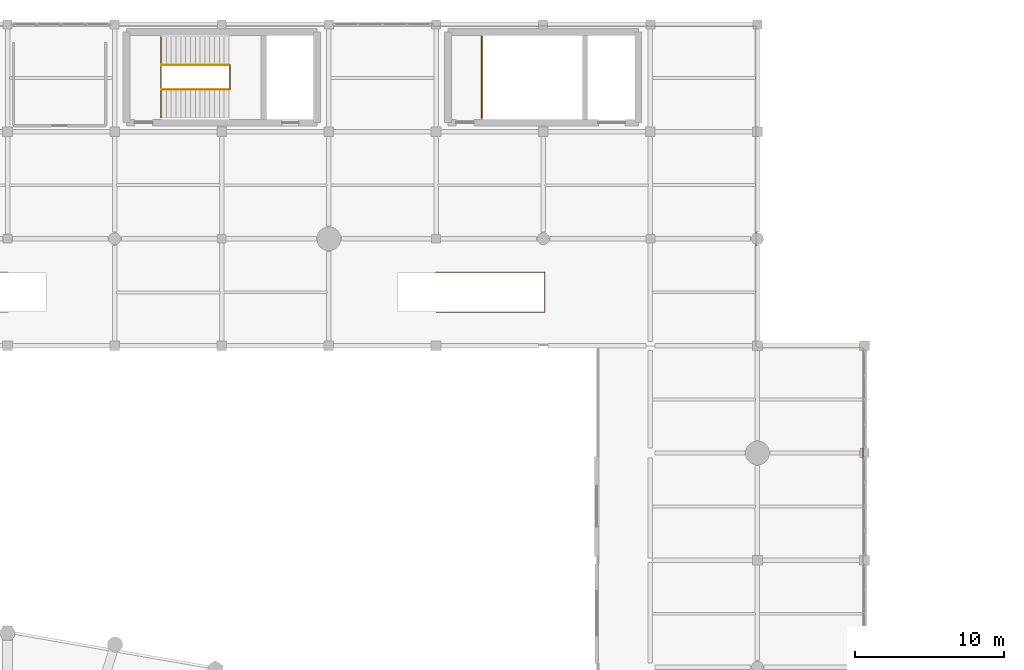
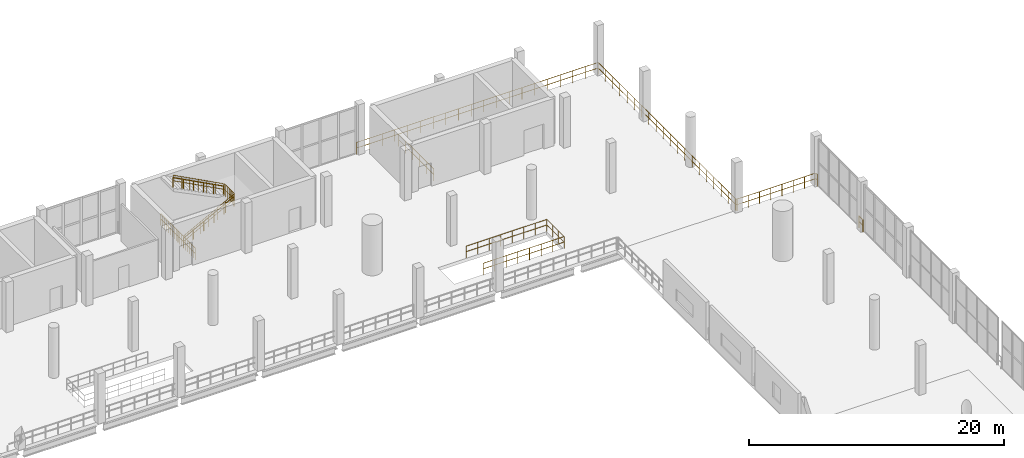
# One storey, part 102 of 105: 10 railings.
"""IFC4 building model written with IfcOpenShell, lengths in metres."""

from ifc_helpers import new_model, si_unit, direction, frame, origin, origin_2d, place, context, subcontext, project, spatial, circle, extrude, material, type_object, element, save


model = new_model("IFC4")

# Units and contexts
model_context = context("Model", 3, precision=1e-05, world=origin(), true_north=direction((0.0, 1.0)))
body_context = subcontext(model_context, "Body", "Model", "MODEL_VIEW")
ifc_project = project(units=[si_unit("LENGTHUNIT", "METRE"), si_unit("AREAUNIT", "SQUARE_METRE"), si_unit("VOLUMEUNIT", "CUBIC_METRE"), si_unit("PLANEANGLEUNIT", "RADIAN"), si_unit("MASSUNIT", "GRAM", prefix="KILO")], contexts=[model_context])

# Site, building, storey
site_placement = place(None, origin())
site = spatial("IfcSite", under=ifc_project, at=site_placement, CompositionType="ELEMENT")
building_placement = place(site_placement, origin())
building = spatial("IfcBuilding", under=site, at=building_placement, Name="Qandorah Velis Arena", CompositionType="ELEMENT")
storey_placement = place(building_placement, frame((0.0, 0.0, 13.800048828125)))
storey = spatial("IfcBuildingStorey", under=building, at=storey_placement, Name="L03", CompositionType="ELEMENT", Elevation=13.800048828125)

# Railings
ifc_material = material(Name="Stainless steel 316", Category="steel")
railing_type_1 = type_object("IfcRailingType", Name="ARC-RL-GRD1150", PredefinedType="GUARDRAIL", material=ifc_material)
railing_1_placement = place(storey_placement, frame((75.110107421875, 123.360107421875, 0.0)))
element("IfcRailing", 1, at=railing_1_placement, inside=storey, type_object=railing_type_1, Name="Stair ST4 landing well-slot guardrail L03", PredefinedType="GUARDRAIL", context=body_context, shape_type="SweptSolid", body=[
    extrude(circle(Radius=0.02392578125, at=origin_2d()), frame((0.0, 0.0, 1.1259765625), z_axis=(0.0, 1.0, 0.0), x_axis=(-1.0, 0.0, 0.0)), (0.0, 0.0, 1.0), 5.3798828125),
    extrude(circle(Radius=0.02392578125, at=origin_2d()), frame((0.0, 0.0, 0.597900390625), z_axis=(0.0, 1.0, 0.0), x_axis=(-1.0, 0.0, 0.0)), (0.0, 0.0, 1.0), 5.3798828125),
    extrude(circle(Radius=0.02099609375, at=origin_2d()), origin(), (0.0, 0.0, 1.0), 1.101806640625),
    extrude(circle(Radius=0.02099609375, at=origin_2d()), frame((0.0, 0.298828125, 0.0)), (0.0, 0.0, 1.0), 1.101806640625),
    extrude(circle(Radius=0.02099609375, at=origin_2d()), frame((0.0, 0.59765625, 0.0)), (0.0, 0.0, 1.0), 1.101806640625),
    extrude(circle(Radius=0.02099609375, at=origin_2d()), frame((0.0, 0.896728515625, 0.0)), (0.0, 0.0, 1.0), 1.101806640625),
    extrude(circle(Radius=0.02099609375, at=origin_2d()), frame((0.0, 1.195556640625, 0.0)), (0.0, 0.0, 1.0), 1.101806640625),
    extrude(circle(Radius=0.02099609375, at=origin_2d()), frame((0.0, 1.494384765625, 0.0)), (0.0, 0.0, 1.0), 1.101806640625),
    extrude(circle(Radius=0.02099609375, at=origin_2d()), frame((0.0, 1.793212890625, 0.0)), (0.0, 0.0, 1.0), 1.101806640625),
    extrude(circle(Radius=0.02099609375, at=origin_2d()), frame((0.0, 2.09228515625, 0.0)), (0.0, 0.0, 1.0), 1.101806640625),
    extrude(circle(Radius=0.02099609375, at=origin_2d()), frame((0.0, 2.39111328125, 0.0)), (0.0, 0.0, 1.0), 1.101806640625),
    extrude(circle(Radius=0.02099609375, at=origin_2d()), frame((0.0, 2.68994140625, 0.0)), (0.0, 0.0, 1.0), 1.101806640625),
    extrude(circle(Radius=0.02099609375, at=origin_2d()), frame((0.0, 2.98876953125, 0.0)), (0.0, 0.0, 1.0), 1.101806640625),
    extrude(circle(Radius=0.02099609375, at=origin_2d()), frame((0.0, 3.28759765625, 0.0)), (0.0, 0.0, 1.0), 1.101806640625),
    extrude(circle(Radius=0.02099609375, at=origin_2d()), frame((0.0, 3.586669921875, 0.0)), (0.0, 0.0, 1.0), 1.101806640625),
    extrude(circle(Radius=0.02099609375, at=origin_2d()), frame((0.0, 3.885498046875, 0.0)), (0.0, 0.0, 1.0), 1.101806640625),
    extrude(circle(Radius=0.02099609375, at=origin_2d()), frame((0.0, 4.184326171875, 0.0)), (0.0, 0.0, 1.0), 1.101806640625),
    extrude(circle(Radius=0.02099609375, at=origin_2d()), frame((0.0, 4.483154296875, 0.0)), (0.0, 0.0, 1.0), 1.101806640625),
    extrude(circle(Radius=0.02099609375, at=origin_2d()), frame((0.0, 4.7822265625, 0.0)), (0.0, 0.0, 1.0), 1.101806640625),
    extrude(circle(Radius=0.02099609375, at=origin_2d()), frame((0.0, 5.0810546875, 0.0)), (0.0, 0.0, 1.0), 1.101806640625),
    extrude(circle(Radius=0.02099609375, at=origin_2d()), frame((0.0, 5.3798828125, 0.0)), (0.0, 0.0, 1.0), 1.101806640625),
])
railing_2_placement = place(storey_placement, frame((79.74609375, 125.239990234375, 2.39990234375)))
element("IfcRailing", 2, at=railing_2_placement, inside=storey, type_object=railing_type_1, Name="Stair ST4 well guardrail (L03)", PredefinedType="GUARDRAIL", context=body_context, shape_type="SweptSolid", body=[
    extrude(circle(Radius=0.02392578125, at=origin_2d()), frame((0.0, 0.0, 1.1259765625), z_axis=(0.0, 1.0, 0.0), x_axis=(-1.0, 0.0, 0.0)), (0.0, 0.0, 1.0), 1.6201171875),
    extrude(circle(Radius=0.02392578125, at=origin_2d()), frame((0.0, 0.0, 0.597900390625), z_axis=(0.0, 1.0, 0.0), x_axis=(-1.0, 0.0, 0.0)), (0.0, 0.0, 1.0), 1.6201171875),
    extrude(circle(Radius=0.02099609375, at=origin_2d()), origin(), (0.0, 0.0, 1.0), 1.101806640625),
    extrude(circle(Radius=0.02099609375, at=origin_2d()), frame((0.0, 0.27001953125, 0.0)), (0.0, 0.0, 1.0), 1.101806640625),
    extrude(circle(Radius=0.02099609375, at=origin_2d()), frame((0.0, 0.5400390625, 0.0)), (0.0, 0.0, 1.0), 1.101806640625),
    extrude(circle(Radius=0.02099609375, at=origin_2d()), frame((0.0, 0.81005859375, 0.0)), (0.0, 0.0, 1.0), 1.101806640625),
    extrude(circle(Radius=0.02099609375, at=origin_2d()), frame((0.0, 1.080078125, 0.0)), (0.0, 0.0, 1.0), 1.101806640625),
    extrude(circle(Radius=0.02099609375, at=origin_2d()), frame((0.0, 1.35009765625, 0.0)), (0.0, 0.0, 1.0), 1.101806640625),
    extrude(circle(Radius=0.02099609375, at=origin_2d()), frame((0.0, 1.6201171875, 0.0)), (0.0, 0.0, 1.0), 1.101806640625),
])
railing_3_placement = place(storey_placement, frame((75.14990234375, 125.22998046875, 0.0)))
element("IfcRailing", 3, at=railing_3_placement, inside=storey, type_object=railing_type_1, Name="Stair ST4 inner flight 1 guardrail (L03)", PredefinedType="GUARDRAIL", context=body_context, shape_type="SweptSolid", body=[
    extrude(circle(Radius=0.02392578125, at=origin_2d()), frame((0.0, 0.0, 1.1259765625), z_axis=(0.883915174832, 0.0, 0.467647264187), x_axis=(0.0, 1.0, 0.0)), (0.0, 0.0, 1.0), 5.1318359375),
    extrude(circle(Radius=0.02392578125, at=origin_2d()), frame((0.0, 0.0, 0.597900390625), z_axis=(0.883915174832, 0.0, 0.467647264187), x_axis=(0.0, 1.0, 0.0)), (0.0, 0.0, 1.0), 5.1318359375),
    extrude(circle(Radius=0.02099609375, at=origin_2d()), origin(), (0.0, 0.0, 1.0), 1.101806640625),
    extrude(circle(Radius=0.02099609375, at=origin_2d()), frame((0.756103515625, 0.0, 0.39990234375)), (0.0, 0.0, 1.0), 1.101806640625),
    extrude(circle(Radius=0.02099609375, at=origin_2d()), frame((1.511962890625, 0.0, 0.800048828125)), (0.0, 0.0, 1.0), 1.101806640625),
    extrude(circle(Radius=0.02099609375, at=origin_2d()), frame((2.26806640625, 0.0, 1.199951171875)), (0.0, 0.0, 1.0), 1.101806640625),
    extrude(circle(Radius=0.02099609375, at=origin_2d()), frame((3.024169921875, 0.0, 1.599853515625)), (0.0, 0.0, 1.0), 1.101806640625),
    extrude(circle(Radius=0.02099609375, at=origin_2d()), frame((3.780029296875, 0.0, 2.0)), (0.0, 0.0, 1.0), 1.101806640625),
    extrude(circle(Radius=0.02099609375, at=origin_2d()), frame((4.5361328125, 0.0, 2.39990234375)), (0.0, 0.0, 1.0), 1.101806640625),
])
railing_4_placement = place(storey_placement, frame((79.68603515625, 126.8701171875, 2.39990234375)))
element("IfcRailing", 4, at=railing_4_placement, inside=storey, type_object=railing_type_1, Name="Stair ST4 inner flight 2 guardrail (L03)", PredefinedType="GUARDRAIL", context=body_context, shape_type="SweptSolid", body=[
    extrude(circle(Radius=0.02392578125, at=origin_2d()), frame((0.0, 0.0, 1.1259765625), z_axis=(-0.883895509492, 0.0, 0.46768443239), x_axis=(0.0, -1.0, 0.0)), (0.0, 0.0, 1.0), 5.132080078125),
    extrude(circle(Radius=0.02392578125, at=origin_2d()), frame((0.0, 0.0, 0.597900390625), z_axis=(-0.883895509492, 0.0, 0.46768443239), x_axis=(0.0, -1.0, 0.0)), (0.0, 0.0, 1.0), 5.132080078125),
    extrude(circle(Radius=0.02099609375, at=origin_2d()), origin(), (0.0, 0.0, 1.0), 1.101806640625),
    extrude(circle(Radius=0.02099609375, at=origin_2d()), frame((-0.756103515625, 0.0, 0.39990234375)), (0.0, 0.0, 1.0), 1.101806640625),
    extrude(circle(Radius=0.02099609375, at=origin_2d()), frame((-1.511962890625, 0.0, 0.800048828125)), (0.0, 0.0, 1.0), 1.101806640625),
    extrude(circle(Radius=0.02099609375, at=origin_2d()), frame((-2.26806640625, 0.0, 1.2001953125)), (0.0, 0.0, 1.0), 1.101806640625),
    extrude(circle(Radius=0.02099609375, at=origin_2d()), frame((-3.024169921875, 0.0, 1.60009765625)), (0.0, 0.0, 1.0), 1.101806640625),
    extrude(circle(Radius=0.02099609375, at=origin_2d()), frame((-3.780029296875, 0.0, 2.0)), (0.0, 0.0, 1.0), 1.101806640625),
    extrude(circle(Radius=0.02099609375, at=origin_2d()), frame((-4.5361328125, 0.0, 2.400146484375)), (0.0, 0.0, 1.0), 1.101806640625),
])
railing_5_placement = place(storey_placement, frame((96.669921875, 123.31005859375, 0.0)))
element("IfcRailing", 5, at=railing_5_placement, inside=storey, type_object=railing_type_1, Name="Stair ST12 top well guardrail L03", PredefinedType="GUARDRAIL", context=body_context, shape_type="SweptSolid", body=[
    extrude(circle(Radius=0.02392578125, at=origin_2d()), frame((0.0, 0.0, 1.1259765625), z_axis=(0.0, 1.0, 0.0), x_axis=(-1.0, 0.0, 0.0)), (0.0, 0.0, 1.0), 5.47998046875),
    extrude(circle(Radius=0.02392578125, at=origin_2d()), frame((0.0, 0.0, 0.597900390625), z_axis=(0.0, 1.0, 0.0), x_axis=(-1.0, 0.0, 0.0)), (0.0, 0.0, 1.0), 5.47998046875),
    extrude(circle(Radius=0.02099609375, at=origin_2d()), origin(), (0.0, 0.0, 1.0), 1.101806640625),
    extrude(circle(Radius=0.02099609375, at=origin_2d()), frame((0.0, 1.095947265625, 0.0)), (0.0, 0.0, 1.0), 1.101806640625),
    extrude(circle(Radius=0.02099609375, at=origin_2d()), frame((0.0, 2.19189453125, 0.0)), (0.0, 0.0, 1.0), 1.101806640625),
    extrude(circle(Radius=0.02099609375, at=origin_2d()), frame((0.0, 3.2880859375, 0.0)), (0.0, 0.0, 1.0), 1.101806640625),
    extrude(circle(Radius=0.02099609375, at=origin_2d()), frame((0.0, 4.384033203125, 0.0)), (0.0, 0.0, 1.0), 1.101806640625),
    extrude(circle(Radius=0.02099609375, at=origin_2d()), frame((0.0, 5.47998046875, 0.0)), (0.0, 0.0, 1.0), 1.101806640625),
])
railing_6_placement = place(storey_placement, frame((93.60009765625, 112.949951171875, 0.0)))
element("IfcRailing", 6, at=railing_6_placement, inside=storey, type_object=railing_type_1, Name="Vomitory VS14 top well guardrail (L03)", PredefinedType="GUARDRAIL", context=body_context, shape_type="SweptSolid", body=[
    extrude(circle(Radius=0.02392578125, at=origin_2d()), frame((0.0, 0.0, 1.1259765625), z_axis=(1.0, 0.0, 0.0), x_axis=(0.0, 1.0, 0.0)), (0.0, 0.0, 1.0), 7.2998046875),
    extrude(circle(Radius=0.02392578125, at=origin_2d()), frame((0.0, 0.0, 0.597900390625), z_axis=(1.0, 0.0, 0.0), x_axis=(0.0, 1.0, 0.0)), (0.0, 0.0, 1.0), 7.2998046875),
    extrude(circle(Radius=0.02392578125, at=origin_2d()), frame((7.2998046875, 0.0, 1.1259765625), z_axis=(0.0, -1.0, 0.0), x_axis=(1.0, 0.0, 0.0)), (0.0, 0.0, 1.0), 2.699951171875),
    extrude(circle(Radius=0.02392578125, at=origin_2d()), frame((7.2998046875, 0.0, 0.597900390625), z_axis=(0.0, -1.0, 0.0), x_axis=(1.0, 0.0, 0.0)), (0.0, 0.0, 1.0), 2.699951171875),
    extrude(circle(Radius=0.02392578125, at=origin_2d()), frame((7.2998046875, -2.699951171875, 1.1259765625), z_axis=(-1.0, 0.0, 0.0), x_axis=(0.0, -1.0, 0.0)), (0.0, 0.0, 1.0), 7.2998046875),
    extrude(circle(Radius=0.02392578125, at=origin_2d()), frame((7.2998046875, -2.699951171875, 0.597900390625), z_axis=(-1.0, 0.0, 0.0), x_axis=(0.0, -1.0, 0.0)), (0.0, 0.0, 1.0), 7.2998046875),
    extrude(circle(Radius=0.02099609375, at=origin_2d()), origin(), (0.0, 0.0, 1.0), 1.101806640625),
    extrude(circle(Radius=0.02099609375, at=origin_2d()), frame((1.042724609375, 0.0, 0.0)), (0.0, 0.0, 1.0), 1.101806640625),
    extrude(circle(Radius=0.02099609375, at=origin_2d()), frame((2.085693359375, 0.0, 0.0)), (0.0, 0.0, 1.0), 1.101806640625),
    extrude(circle(Radius=0.02099609375, at=origin_2d()), frame((3.12841796875, 0.0, 0.0)), (0.0, 0.0, 1.0), 1.101806640625),
    extrude(circle(Radius=0.02099609375, at=origin_2d()), frame((4.17138671875, 0.0, 0.0)), (0.0, 0.0, 1.0), 1.101806640625),
    extrude(circle(Radius=0.02099609375, at=origin_2d()), frame((5.214111328125, 0.0, 0.0)), (0.0, 0.0, 1.0), 1.101806640625),
    extrude(circle(Radius=0.02099609375, at=origin_2d()), frame((6.257080078125, 0.0, 0.0)), (0.0, 0.0, 1.0), 1.101806640625),
    extrude(circle(Radius=0.02099609375, at=origin_2d()), frame((7.2998046875, 0.0, 0.0)), (0.0, 0.0, 1.0), 1.101806640625),
    extrude(circle(Radius=0.02099609375, at=origin_2d()), frame((7.2998046875, -0.89990234375, 0.0)), (0.0, 0.0, 1.0), 1.101806640625),
    extrude(circle(Radius=0.02099609375, at=origin_2d()), frame((7.2998046875, -1.800048828125, 0.0)), (0.0, 0.0, 1.0), 1.101806640625),
    extrude(circle(Radius=0.02099609375, at=origin_2d()), frame((7.2998046875, -2.699951171875, 0.0)), (0.0, 0.0, 1.0), 1.101806640625),
    extrude(circle(Radius=0.02099609375, at=origin_2d()), frame((6.257080078125, -2.699951171875, 0.0)), (0.0, 0.0, 1.0), 1.101806640625),
    extrude(circle(Radius=0.02099609375, at=origin_2d()), frame((5.214111328125, -2.699951171875, 0.0)), (0.0, 0.0, 1.0), 1.101806640625),
    extrude(circle(Radius=0.02099609375, at=origin_2d()), frame((4.17138671875, -2.699951171875, 0.0)), (0.0, 0.0, 1.0), 1.101806640625),
    extrude(circle(Radius=0.02099609375, at=origin_2d()), frame((3.12841796875, -2.699951171875, 0.0)), (0.0, 0.0, 1.0), 1.101806640625),
    extrude(circle(Radius=0.02099609375, at=origin_2d()), frame((2.085693359375, -2.699951171875, 0.0)), (0.0, 0.0, 1.0), 1.101806640625),
    extrude(circle(Radius=0.02099609375, at=origin_2d()), frame((1.042724609375, -2.699951171875, 0.0)), (0.0, 0.0, 1.0), 1.101806640625),
    extrude(circle(Radius=0.02099609375, at=origin_2d()), frame((0.0, -2.699951171875, 0.0)), (0.0, 0.0, 1.0), 1.101806640625),
])
railing_7_placement = place(storey_placement, frame((93.27490234375, 129.5, 0.0)))
element("IfcRailing", 7, at=railing_7_placement, inside=storey, type_object=railing_type_1, Name="Slab edge safety guardrail L03-184", PredefinedType="GUARDRAIL", context=body_context, shape_type="SweptSolid", body=[
    extrude(circle(Radius=0.02392578125, at=origin_2d()), frame((0.0, 0.0, 1.1259765625), z_axis=(1.0, 0.0, 0.0), x_axis=(0.0, 1.0, 0.0)), (0.0, 0.0, 1.0), 21.8251953125),
    extrude(circle(Radius=0.02392578125, at=origin_2d()), frame((0.0, 0.0, 0.597900390625), z_axis=(1.0, 0.0, 0.0), x_axis=(0.0, 1.0, 0.0)), (0.0, 0.0, 1.0), 21.8251953125),
    extrude(circle(Radius=0.02392578125, at=origin_2d()), frame((21.8251953125, 0.0, 1.1259765625), z_axis=(0.0, -1.0, 0.0), x_axis=(1.0, 0.0, 0.0)), (0.0, 0.0, 1.0), 21.5),
    extrude(circle(Radius=0.02392578125, at=origin_2d()), frame((21.8251953125, 0.0, 0.597900390625), z_axis=(0.0, -1.0, 0.0), x_axis=(1.0, 0.0, 0.0)), (0.0, 0.0, 1.0), 21.5),
    extrude(circle(Radius=0.02392578125, at=origin_2d()), frame((21.8251953125, -21.5, 1.1259765625), z_axis=(0.633342614097, -0.773871522392, 0.0), x_axis=(0.773871522392, 0.633342614097, 0.0)), (0.0, 0.0, 1.0), 0.126708984375),
    extrude(circle(Radius=0.02392578125, at=origin_2d()), frame((21.8251953125, -21.5, 0.597900390625), z_axis=(0.633342614097, -0.773871522392, 0.0), x_axis=(0.773871522392, 0.633342614097, 0.0)), (0.0, 0.0, 1.0), 0.126708984375),
    extrude(circle(Radius=0.02392578125, at=origin_2d()), frame((21.905517578125, -21.59814453125, 1.1259765625), z_axis=(0.999999962372, -0.000274329597, 0.0), x_axis=(0.000274329597, 0.999999962372, 0.0)), (0.0, 0.0, 1.0), 7.11962890625),
    extrude(circle(Radius=0.02392578125, at=origin_2d()), frame((21.905517578125, -21.59814453125, 0.597900390625), z_axis=(0.999999962372, -0.000274329597, 0.0), x_axis=(0.000274329597, 0.999999962372, 0.0)), (0.0, 0.0, 1.0), 7.11962890625),
    extrude(circle(Radius=0.02392578125, at=origin_2d()), frame((29.025146484375, -21.60009765625, 1.1259765625), z_axis=(0.0, -1.0, 0.0), x_axis=(1.0, 0.0, 0.0)), (0.0, 0.0, 1.0), 0.25),
    extrude(circle(Radius=0.02392578125, at=origin_2d()), frame((29.025146484375, -21.60009765625, 0.597900390625), z_axis=(0.0, -1.0, 0.0), x_axis=(1.0, 0.0, 0.0)), (0.0, 0.0, 1.0), 0.25),
    extrude(circle(Radius=0.02099609375, at=origin_2d()), origin(), (0.0, 0.0, 1.0), 1.101806640625),
    extrude(circle(Radius=0.02099609375, at=origin_2d()), frame((1.148681640625, 0.0, 0.0)), (0.0, 0.0, 1.0), 1.101806640625),
    extrude(circle(Radius=0.02099609375, at=origin_2d()), frame((2.29736328125, 0.0, 0.0)), (0.0, 0.0, 1.0), 1.101806640625),
    extrude(circle(Radius=0.02099609375, at=origin_2d()), frame((3.446044921875, 0.0, 0.0)), (0.0, 0.0, 1.0), 1.101806640625),
    extrude(circle(Radius=0.02099609375, at=origin_2d()), frame((4.5947265625, 0.0, 0.0)), (0.0, 0.0, 1.0), 1.101806640625),
    extrude(circle(Radius=0.02099609375, at=origin_2d()), frame((5.743408203125, 0.0, 0.0)), (0.0, 0.0, 1.0), 1.101806640625),
    extrude(circle(Radius=0.02099609375, at=origin_2d()), frame((6.89208984375, 0.0, 0.0)), (0.0, 0.0, 1.0), 1.101806640625),
    extrude(circle(Radius=0.02099609375, at=origin_2d()), frame((8.040771484375, 0.0, 0.0)), (0.0, 0.0, 1.0), 1.101806640625),
    extrude(circle(Radius=0.02099609375, at=origin_2d()), frame((9.189453125, 0.0, 0.0)), (0.0, 0.0, 1.0), 1.101806640625),
    extrude(circle(Radius=0.02099609375, at=origin_2d()), frame((10.338134765625, 0.0, 0.0)), (0.0, 0.0, 1.0), 1.101806640625),
    extrude(circle(Radius=0.02099609375, at=origin_2d()), frame((11.487060546875, 0.0, 0.0)), (0.0, 0.0, 1.0), 1.101806640625),
    extrude(circle(Radius=0.02099609375, at=origin_2d()), frame((12.6357421875, 0.0, 0.0)), (0.0, 0.0, 1.0), 1.101806640625),
    extrude(circle(Radius=0.02099609375, at=origin_2d()), frame((13.784423828125, 0.0, 0.0)), (0.0, 0.0, 1.0), 1.101806640625),
    extrude(circle(Radius=0.02099609375, at=origin_2d()), frame((14.93310546875, 0.0, 0.0)), (0.0, 0.0, 1.0), 1.101806640625),
    extrude(circle(Radius=0.02099609375, at=origin_2d()), frame((16.081787109375, 0.0, 0.0)), (0.0, 0.0, 1.0), 1.101806640625),
    extrude(circle(Radius=0.02099609375, at=origin_2d()), frame((17.23046875, 0.0, 0.0)), (0.0, 0.0, 1.0), 1.101806640625),
    extrude(circle(Radius=0.02099609375, at=origin_2d()), frame((18.379150390625, 0.0, 0.0)), (0.0, 0.0, 1.0), 1.101806640625),
    extrude(circle(Radius=0.02099609375, at=origin_2d()), frame((19.52783203125, 0.0, 0.0)), (0.0, 0.0, 1.0), 1.101806640625),
    extrude(circle(Radius=0.02099609375, at=origin_2d()), frame((20.676513671875, 0.0, 0.0)), (0.0, 0.0, 1.0), 1.101806640625),
    extrude(circle(Radius=0.02099609375, at=origin_2d()), frame((21.8251953125, 0.0, 0.0)), (0.0, 0.0, 1.0), 1.101806640625),
    extrude(circle(Radius=0.02099609375, at=origin_2d()), frame((21.8251953125, -1.131591796875, 0.0)), (0.0, 0.0, 1.0), 1.101806640625),
    extrude(circle(Radius=0.02099609375, at=origin_2d()), frame((21.8251953125, -2.26318359375, 0.0)), (0.0, 0.0, 1.0), 1.101806640625),
    extrude(circle(Radius=0.02099609375, at=origin_2d()), frame((21.8251953125, -3.394775390625, 0.0)), (0.0, 0.0, 1.0), 1.101806640625),
    extrude(circle(Radius=0.02099609375, at=origin_2d()), frame((21.8251953125, -4.5263671875, 0.0)), (0.0, 0.0, 1.0), 1.101806640625),
    extrude(circle(Radius=0.02099609375, at=origin_2d()), frame((21.8251953125, -5.657958984375, 0.0)), (0.0, 0.0, 1.0), 1.101806640625),
    extrude(circle(Radius=0.02099609375, at=origin_2d()), frame((21.8251953125, -6.78955078125, 0.0)), (0.0, 0.0, 1.0), 1.101806640625),
    extrude(circle(Radius=0.02099609375, at=origin_2d()), frame((21.8251953125, -7.921142578125, 0.0)), (0.0, 0.0, 1.0), 1.101806640625),
    extrude(circle(Radius=0.02099609375, at=origin_2d()), frame((21.8251953125, -9.052734375, 0.0)), (0.0, 0.0, 1.0), 1.101806640625),
    extrude(circle(Radius=0.02099609375, at=origin_2d()), frame((21.8251953125, -10.184326171875, 0.0)), (0.0, 0.0, 1.0), 1.101806640625),
    extrude(circle(Radius=0.02099609375, at=origin_2d()), frame((21.8251953125, -11.315673828125, 0.0)), (0.0, 0.0, 1.0), 1.101806640625),
    extrude(circle(Radius=0.02099609375, at=origin_2d()), frame((21.8251953125, -12.447265625, 0.0)), (0.0, 0.0, 1.0), 1.101806640625),
    extrude(circle(Radius=0.02099609375, at=origin_2d()), frame((21.8251953125, -13.578857421875, 0.0)), (0.0, 0.0, 1.0), 1.101806640625),
    extrude(circle(Radius=0.02099609375, at=origin_2d()), frame((21.8251953125, -14.71044921875, 0.0)), (0.0, 0.0, 1.0), 1.101806640625),
    extrude(circle(Radius=0.02099609375, at=origin_2d()), frame((21.8251953125, -15.842041015625, 0.0)), (0.0, 0.0, 1.0), 1.101806640625),
    extrude(circle(Radius=0.02099609375, at=origin_2d()), frame((21.8251953125, -16.9736328125, 0.0)), (0.0, 0.0, 1.0), 1.101806640625),
    extrude(circle(Radius=0.02099609375, at=origin_2d()), frame((21.8251953125, -18.105224609375, 0.0)), (0.0, 0.0, 1.0), 1.101806640625),
    extrude(circle(Radius=0.02099609375, at=origin_2d()), frame((21.8251953125, -19.23681640625, 0.0)), (0.0, 0.0, 1.0), 1.101806640625),
    extrude(circle(Radius=0.02099609375, at=origin_2d()), frame((21.8251953125, -20.368408203125, 0.0)), (0.0, 0.0, 1.0), 1.101806640625),
    extrude(circle(Radius=0.02099609375, at=origin_2d()), frame((21.8251953125, -21.5, 0.0)), (0.0, 0.0, 1.0), 1.101806640625),
    extrude(circle(Radius=0.02099609375, at=origin_2d()), frame((21.905517578125, -21.59814453125, 0.0)), (0.0, 0.0, 1.0), 1.101806640625),
    extrude(circle(Radius=0.02099609375, at=origin_2d()), frame((22.922607421875, -21.598388671875, 0.0)), (0.0, 0.0, 1.0), 1.101806640625),
    extrude(circle(Radius=0.02099609375, at=origin_2d()), frame((23.939697265625, -21.5986328125, 0.0)), (0.0, 0.0, 1.0), 1.101806640625),
    extrude(circle(Radius=0.02099609375, at=origin_2d()), frame((24.956787109375, -21.598876953125, 0.0)), (0.0, 0.0, 1.0), 1.101806640625),
    extrude(circle(Radius=0.02099609375, at=origin_2d()), frame((25.973876953125, -21.599365234375, 0.0)), (0.0, 0.0, 1.0), 1.101806640625),
    extrude(circle(Radius=0.02099609375, at=origin_2d()), frame((26.990966796875, -21.599609375, 0.0)), (0.0, 0.0, 1.0), 1.101806640625),
    extrude(circle(Radius=0.02099609375, at=origin_2d()), frame((28.008056640625, -21.599853515625, 0.0)), (0.0, 0.0, 1.0), 1.101806640625),
    extrude(circle(Radius=0.02099609375, at=origin_2d()), frame((29.025146484375, -21.60009765625, 0.0)), (0.0, 0.0, 1.0), 1.101806640625),
    extrude(circle(Radius=0.02099609375, at=origin_2d()), frame((29.025146484375, -21.85009765625, 0.0)), (0.0, 0.0, 1.0), 1.101806640625),
])
railing_8_placement = place(storey_placement, frame((122.300048828125, 101.125, 0.0)))
element("IfcRailing", 8, at=railing_8_placement, inside=storey, type_object=railing_type_1, Name="Slab edge safety guardrail L03-185", PredefinedType="GUARDRAIL", context=body_context, shape_type="SweptSolid", body=[
    extrude(circle(Radius=0.02392578125, at=origin_2d()), frame((0.0, 0.0, 1.1259765625), z_axis=(0.0, -1.0, 0.0), x_axis=(1.0, 0.0, 0.0)), (0.0, 0.0, 1.0), 0.64990234375),
    extrude(circle(Radius=0.02392578125, at=origin_2d()), frame((0.0, 0.0, 0.597900390625), z_axis=(0.0, -1.0, 0.0), x_axis=(1.0, 0.0, 0.0)), (0.0, 0.0, 1.0), 0.64990234375),
    extrude(circle(Radius=0.02099609375, at=origin_2d()), origin(), (0.0, 0.0, 1.0), 1.101806640625),
    extrude(circle(Radius=0.02099609375, at=origin_2d()), frame((0.0, -0.64990234375, 0.0)), (0.0, 0.0, 1.0), 1.101806640625),
])
railing_type_2 = type_object("IfcRailingType", Name="ARC-RL-HND920", PredefinedType="HANDRAIL", material=ifc_material)
railing_9_placement = place(storey_placement, frame((75.14990234375, 125.22998046875, 0.0)))
element("IfcRailing", 9, at=railing_9_placement, inside=storey, type_object=railing_type_2, Name="Stair ST4 inner handrail 1 (L03)", PredefinedType="HANDRAIL", context=body_context, shape_type="SweptSolid", body=[
    extrude(circle(Radius=0.02392578125, at=origin_2d()), frame((0.0, 0.0, 0.89599609375), z_axis=(0.883915174832, 0.0, 0.467647264187), x_axis=(0.0, 1.0, 0.0)), (0.0, 0.0, 1.0), 5.1318359375),
    extrude(circle(Radius=0.02099609375, at=origin_2d()), origin(), (0.0, 0.0, 1.0), 0.871826171875),
    extrude(circle(Radius=0.02099609375, at=origin_2d()), frame((0.9072265625, 0.0, 0.47998046875)), (0.0, 0.0, 1.0), 0.871826171875),
    extrude(circle(Radius=0.02099609375, at=origin_2d()), frame((1.814453125, 0.0, 0.9599609375)), (0.0, 0.0, 1.0), 0.871826171875),
    extrude(circle(Radius=0.02099609375, at=origin_2d()), frame((2.7216796875, 0.0, 1.43994140625)), (0.0, 0.0, 1.0), 0.871826171875),
    extrude(circle(Radius=0.02099609375, at=origin_2d()), frame((3.62890625, 0.0, 1.919921875)), (0.0, 0.0, 1.0), 0.871826171875),
    extrude(circle(Radius=0.02099609375, at=origin_2d()), frame((4.5361328125, 0.0, 2.39990234375)), (0.0, 0.0, 1.0), 0.871826171875),
])
railing_10_placement = place(storey_placement, frame((79.68603515625, 126.8701171875, 2.39990234375)))
element("IfcRailing", 10, at=railing_10_placement, inside=storey, type_object=railing_type_2, Name="Stair ST4 inner handrail 2 (L03)", PredefinedType="HANDRAIL", context=body_context, shape_type="SweptSolid", body=[
    extrude(circle(Radius=0.02392578125, at=origin_2d()), frame((0.0, 0.0, 0.89599609375), z_axis=(-0.883895509492, 0.0, 0.46768443239), x_axis=(0.0, -1.0, 0.0)), (0.0, 0.0, 1.0), 5.132080078125),
    extrude(circle(Radius=0.02099609375, at=origin_2d()), origin(), (0.0, 0.0, 1.0), 0.871826171875),
    extrude(circle(Radius=0.02099609375, at=origin_2d()), frame((-0.9072265625, 0.0, 0.47998046875)), (0.0, 0.0, 1.0), 0.871826171875),
    extrude(circle(Radius=0.02099609375, at=origin_2d()), frame((-1.814453125, 0.0, 0.9599609375)), (0.0, 0.0, 1.0), 0.871826171875),
    extrude(circle(Radius=0.02099609375, at=origin_2d()), frame((-2.7216796875, 0.0, 1.440185546875)), (0.0, 0.0, 1.0), 0.871826171875),
    extrude(circle(Radius=0.02099609375, at=origin_2d()), frame((-3.62890625, 0.0, 1.920166015625)), (0.0, 0.0, 1.0), 0.871826171875),
    extrude(circle(Radius=0.02099609375, at=origin_2d()), frame((-4.5361328125, 0.0, 2.400146484375)), (0.0, 0.0, 1.0), 0.871826171875),
])

save(model, "model.ifc")
